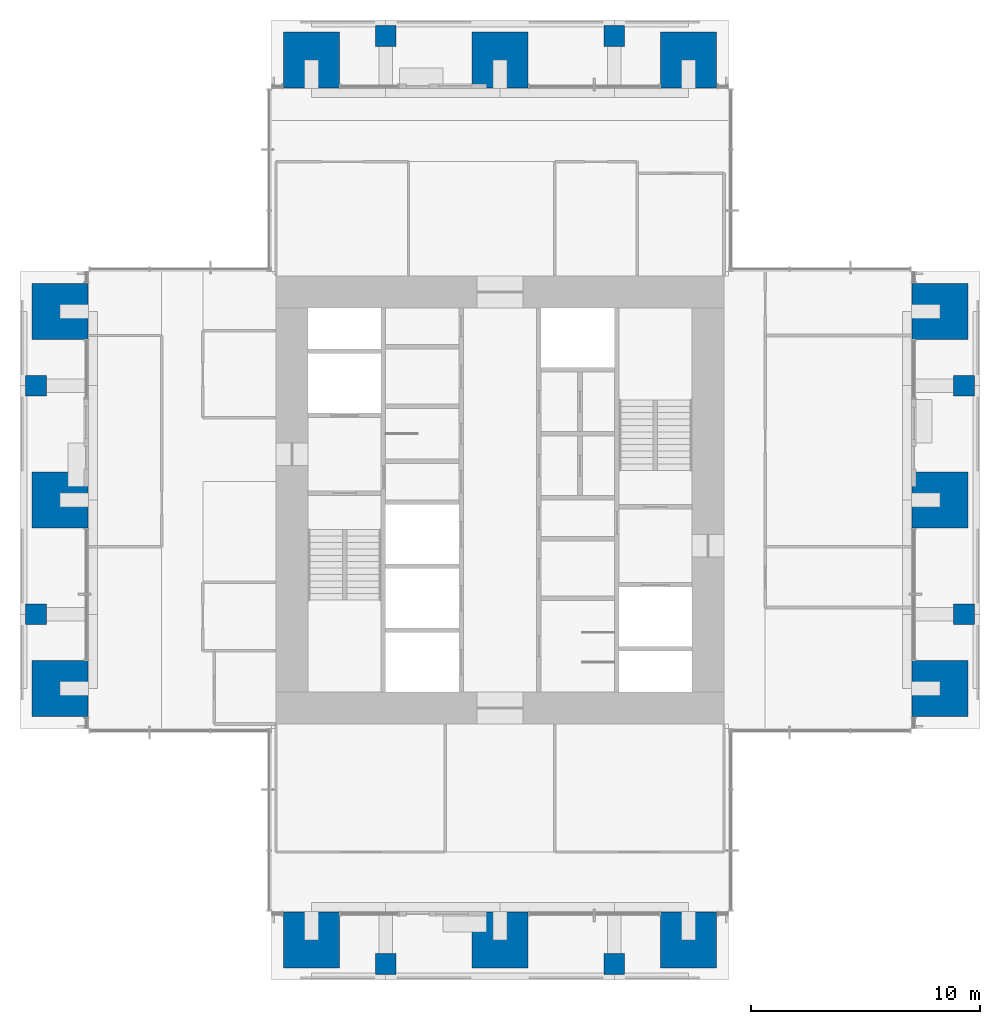
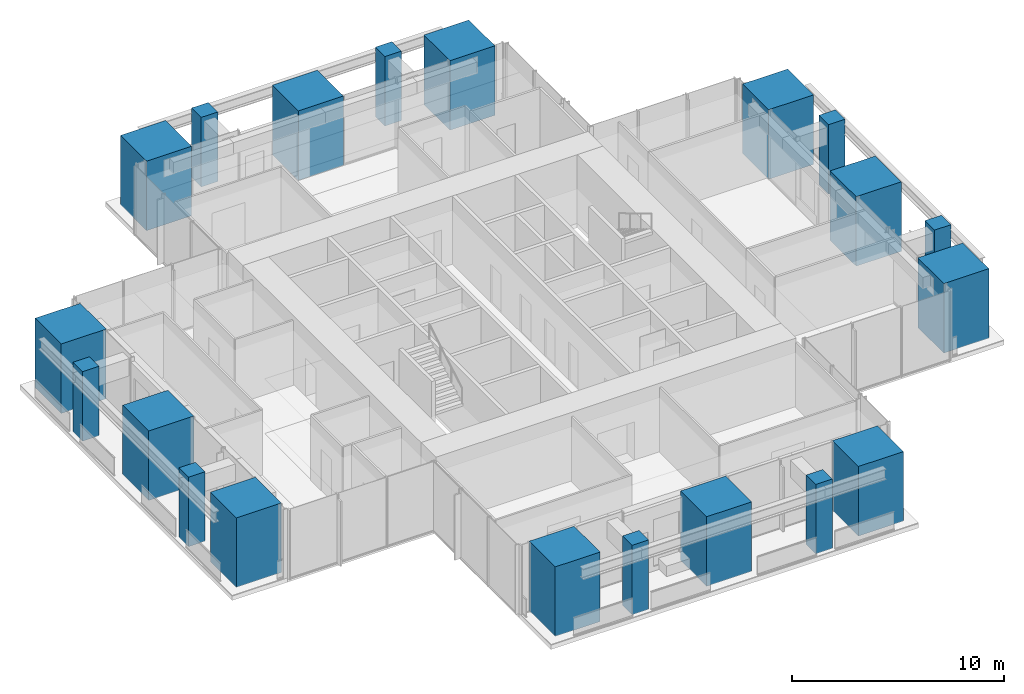
# One storey, part 1 of 17: 20 columns.
"""IFC4 building model written with IfcOpenShell, lengths in metres."""

from ifc_helpers import new_model, si_unit, direction, frame, origin, origin_2d, place, context, subcontext, project, spatial, rectangle, extrude, material, material_profile, profile_set, type_object, element, save


model = new_model("IFC4")

# Units and contexts
model_context = context("Model", 3, precision=1e-05, world=origin(), true_north=direction((0.0, 1.0)))
body_context = subcontext(model_context, "Body", "Model", "MODEL_VIEW")
ifc_project = project(units=[si_unit("LENGTHUNIT", "METRE"), si_unit("AREAUNIT", "SQUARE_METRE"), si_unit("VOLUMEUNIT", "CUBIC_METRE"), si_unit("PLANEANGLEUNIT", "RADIAN"), si_unit("MASSUNIT", "GRAM", prefix="KILO")], contexts=[model_context])

# Site, building, storey
site_placement = place(None, origin())
site = spatial("IfcSite", under=ifc_project, at=site_placement, CompositionType="ELEMENT")
building_placement = place(site_placement, origin())
building = spatial("IfcBuilding", under=site, at=building_placement, Name="Svetlomir Tower", CompositionType="ELEMENT")
storey_placement = place(building_placement, frame((0.0, 0.0, 214.5)))
storey = spatial("IfcBuildingStorey", under=building, at=storey_placement, Name="L51", CompositionType="ELEMENT", Elevation=214.5)

# Columns
ifc_material_1 = material(Name="Concrete C60/75", Category="concrete")
ifc_material_profile_1 = material_profile(ifc_material_1, rectangle(XDim=2.449951171875, YDim=2.449951171875, at=origin_2d()), Name="RC 2450x2450")
ifc_profile_set_1 = profile_set([ifc_material_profile_1], Name="Concrete C60/75")
column_type_1 = type_object("IfcColumnType", Name="COLUMN RC 2450x2450", PredefinedType="COLUMN", material=ifc_profile_set_1)
for number, where, z_axis, x_axis, name in (
    (1, (12.75, 1.75, 0.0), (0.0, 0.0, 1.0), (1.0, 0.0, 0.0), "Column 11/0 L51"),
    (2, (21.0, 1.75, 0.0), (0.0, 0.0, 1.0), (1.0, 0.0, 0.0), "Column 21/0 L51"),
    (3, (29.25, 1.75, 0.0), (0.0, 0.0, 1.0), (1.0, 0.0, 0.0), "Column 31/0 L51"),
    (4, (1.75, 12.75, 0.0), (0.0, 0.0, 1.0), (1.0, 0.0, 0.0), "Column 0/11 L51"),
    (5, (40.25, 12.75, 0.0), (0.0, 0.0, 1.0), (1.0, 0.0, 0.0), "Column 42/11 L51"),
    (6, (1.75, 21.0, 0.0), (0.0, 0.0, 1.0), (1.0, 0.0, 0.0), "Column 0/21 L51"),
    (7, (40.25, 21.0, 0.0), (0.0, 0.0, 1.0), (1.0, 0.0, 0.0), "Column 42/21 L51"),
    (8, (1.75, 29.25, 0.0), (0.0, 0.0, 1.0), (1.0, 0.0, 0.0), "Column 0/31 L51"),
    (9, (40.25, 29.25, 0.0), (0.0, 0.0, 1.0), (1.0, 0.0, 0.0), "Column 42/31 L51"),
    (10, (12.75, 40.25, 0.0), (0.0, 0.0, 1.0), (1.0, 0.0, 0.0), "Column 11/42 L51"),
    (11, (21.0, 40.25, 0.0), (0.0, 0.0, 1.0), (1.0, 0.0, 0.0), "Column 21/42 L51"),
    (12, (29.25, 40.25, 0.0), (0.0, 0.0, 1.0), (1.0, 0.0, 0.0), "Column 31/42 L51"),
):
    element("IfcColumn", number, at=place(storey_placement, frame(where, z_axis=z_axis, x_axis=x_axis)), inside=storey, type_object=column_type_1, Name=name, PredefinedType="COLUMN", context=body_context, shape_type="SweptSolid", body=[
        extrude(rectangle(XDim=2.449951171875, YDim=2.449951171875, at=origin_2d()), origin(), (0.0, 0.0, 1.0), 4.0),
    ])
ifc_material_2 = material(Name="Concrete C60/75", Category="concrete")
ifc_material_profile_2 = material_profile(ifc_material_2, rectangle(XDim=0.89990234375, YDim=0.89990234375, at=origin_2d()), Name="RC 900x900")
ifc_profile_set_2 = profile_set([ifc_material_profile_2], Name="Concrete C60/75")
column_type_2 = type_object("IfcColumnType", Name="COLUMN RC 900x900", PredefinedType="COLUMN", material=ifc_profile_set_2)
for number, where, z_axis, x_axis, name in (
    (13, (16.0, 0.699951171875, 0.0), (0.0, 0.0, 1.0), (1.0, 0.0, 0.0), "Column 16/0 L51"),
    (14, (26.0, 0.699951171875, 0.0), (0.0, 0.0, 1.0), (1.0, 0.0, 0.0), "Column 26/0 L51"),
    (15, (0.699951171875, 16.0, 0.0), (0.0, 0.0, 1.0), (1.0, 0.0, 0.0), "Column 0/16 L51"),
    (16, (41.300048828125, 16.0, 0.0), (0.0, 0.0, 1.0), (1.0, 0.0, 0.0), "Column 42/16 L51"),
    (17, (0.699951171875, 26.0, 0.0), (0.0, 0.0, 1.0), (1.0, 0.0, 0.0), "Column 0/26 L51"),
    (18, (41.300048828125, 26.0, 0.0), (0.0, 0.0, 1.0), (1.0, 0.0, 0.0), "Column 42/26 L51"),
    (19, (16.0, 41.300048828125, 0.0), (0.0, 0.0, 1.0), (1.0, 0.0, 0.0), "Column 16/42 L51"),
    (20, (26.0, 41.300048828125, 0.0), (0.0, 0.0, 1.0), (1.0, 0.0, 0.0), "Column 26/42 L51"),
):
    element("IfcColumn", number, at=place(storey_placement, frame(where, z_axis=z_axis, x_axis=x_axis)), inside=storey, type_object=column_type_2, Name=name, PredefinedType="COLUMN", context=body_context, shape_type="SweptSolid", body=[
        extrude(rectangle(XDim=0.89990234375, YDim=0.89990234375, at=origin_2d()), origin(), (0.0, 0.0, 1.0), 4.0),
    ])

save(model, "model.ifc")
